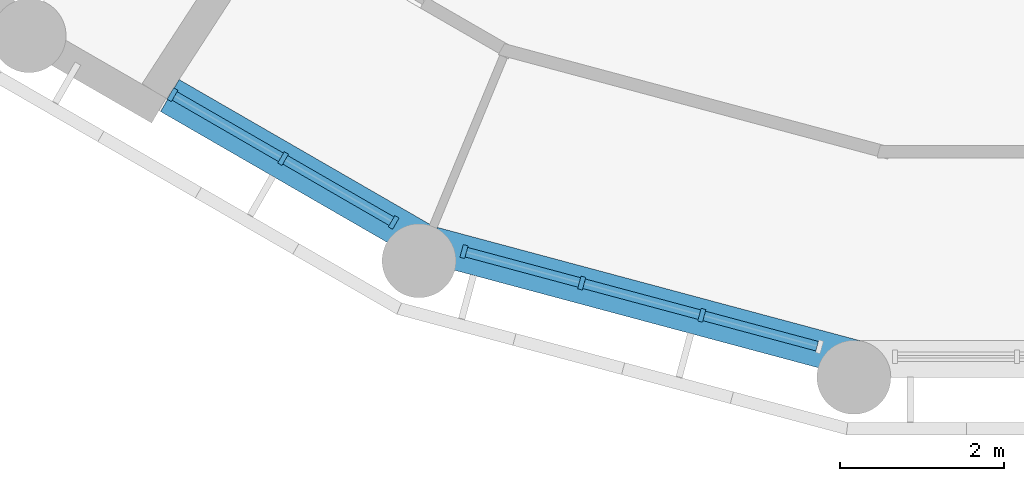
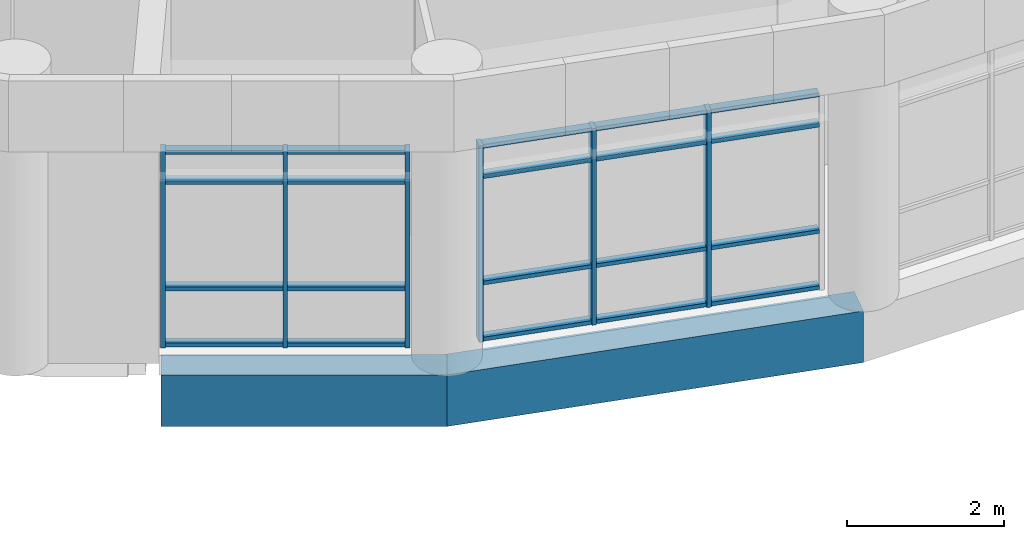
# One storey, part 3 of 109: 26 members, 2 beams, 2 elements without a shape of their own.
"""IFC4 building model written with IfcOpenShell, lengths in metres."""

from ifc_helpers import new_model, si_unit, direction, frame, origin, origin_2d, place, context, subcontext, project, spatial, rectangle, extrude, material, material_profile, profile_set, type_object, element, aggregate, save


model = new_model("IFC4")

# Units and contexts
model_context = context("Model", 3, precision=1e-05, world=origin(), true_north=direction((0.0, 1.0)))
body_context = subcontext(model_context, "Body", "Model", "MODEL_VIEW")
ifc_project = project(units=[si_unit("LENGTHUNIT", "METRE"), si_unit("AREAUNIT", "SQUARE_METRE"), si_unit("VOLUMEUNIT", "CUBIC_METRE"), si_unit("PLANEANGLEUNIT", "RADIAN"), si_unit("MASSUNIT", "GRAM", prefix="KILO")], contexts=[model_context])

# Site, building, storey
site_placement = place(None, origin())
site = spatial("IfcSite", under=ifc_project, at=site_placement, CompositionType="ELEMENT")
building_placement = place(site_placement, origin())
building = spatial("IfcBuilding", under=site, at=building_placement, Name="Bougainvillea Quay General Hospital", CompositionType="ELEMENT")
storey_placement = place(building_placement, frame((0.0, 0.0, 12.60009765625)))
storey = spatial("IfcBuildingStorey", under=building, at=storey_placement, Name="L02", CompositionType="ELEMENT", Elevation=12.60009765625)

# Curtain wall, members
ifc_material_1 = material(Name="Aluminium curtain wall system, powder-coated glazed", Category="aluminium")
curtain_wall_type_1 = type_object("IfcCurtainWallType", Name="Unitised curtain wall CW-1585", PredefinedType="NOTDEFINED", material=ifc_material_1)
curtain_wall_1_placement = place(storey_placement, origin())
curtain_wall_1 = element("IfcCurtainWall", 1, at=curtain_wall_1_placement, inside=storey, type_object=curtain_wall_type_1, Name="CW-D 00", PredefinedType="NOTDEFINED")
ifc_material_2 = material(Name="Aluminium mullion, powder-coated charcoal", Category="aluminium")
ifc_material_profile_1 = material_profile(ifc_material_2, rectangle(XDim=0.159912109375, YDim=0.06005859375, at=origin_2d()))
ifc_profile_set_1 = profile_set([ifc_material_profile_1], Name="Aluminium mullion, powder-coated charcoal")
member_type_1 = type_object("IfcMemberType", Name="Curtain wall mullion 160x60", PredefinedType="MULLION", material=ifc_profile_set_1)
member_1_placement = place(storey_placement, frame((98.162841796875, 56.620361328125, 0.0), z_axis=(0.0, 0.0, 1.0), x_axis=(0.499964557262, 0.866045865692, 0.0)))
member_1 = element("IfcMember", 2, at=member_1_placement, type_object=member_type_1, Name="CW-D mullion 1", PredefinedType="MULLION", context=body_context, shape_type="SweptSolid", body=[
    extrude(rectangle(XDim=0.159912109375, YDim=0.06005859375, at=origin_2d()), origin(), (0.0, 0.0, 1.0), 3.0498046875),
])
member_2_placement = place(storey_placement, frame((99.50927734375, 55.8427734375, 0.0), z_axis=(0.0, 0.0, 1.0), x_axis=(0.499964557262, 0.866045865692, 0.0)))
member_2 = element("IfcMember", 3, at=member_2_placement, type_object=member_type_1, Name="CW-D mullion 2", PredefinedType="MULLION", context=body_context, shape_type="SweptSolid", body=[
    extrude(rectangle(XDim=0.159912109375, YDim=0.06005859375, at=origin_2d()), origin(), (0.0, 0.0, 1.0), 3.0498046875),
])
member_3_placement = place(storey_placement, frame((100.85595703125, 55.0654296875, 0.0), z_axis=(0.0, 0.0, 1.0), x_axis=(0.499964557262, 0.866045865692, 0.0)))
member_3 = element("IfcMember", 4, at=member_3_placement, type_object=member_type_1, Name="CW-D mullion 3", PredefinedType="MULLION", context=body_context, shape_type="SweptSolid", body=[
    extrude(rectangle(XDim=0.159912109375, YDim=0.06005859375, at=origin_2d()), origin(), (0.0, 0.0, 1.0), 3.0498046875),
])

curtain_wall_type_2 = type_object("IfcCurtainWallType", Name="Unitised curtain wall CW-1514", PredefinedType="NOTDEFINED", material=ifc_material_1)
curtain_wall_2_placement = place(storey_placement, origin())
curtain_wall_2 = element("IfcCurtainWall", 5, at=curtain_wall_2_placement, inside=storey, type_object=curtain_wall_type_2, Name="CW-D 00", PredefinedType="NOTDEFINED")
member_4_placement = place(storey_placement, frame((101.711669921875, 54.7109375, 0.0), z_axis=(0.0, 0.0, 1.0), x_axis=(0.258854621298, 0.965916292974, 0.0)))
member_4 = element("IfcMember", 6, at=member_4_placement, type_object=member_type_1, Name="CW-D mullion 1", PredefinedType="MULLION", context=body_context, shape_type="SweptSolid", body=[
    extrude(rectangle(XDim=0.159912109375, YDim=0.06005859375, at=origin_2d()), origin(), (0.0, 0.0, 1.0), 3.0498046875),
])
member_5_placement = place(storey_placement, frame((103.14501953125, 54.326904296875, 0.0), z_axis=(0.0, 0.0, 1.0), x_axis=(0.258854621298, 0.965916292974, 0.0)))
member_5 = element("IfcMember", 7, at=member_5_placement, type_object=member_type_1, Name="CW-D mullion 2", PredefinedType="MULLION", context=body_context, shape_type="SweptSolid", body=[
    extrude(rectangle(XDim=0.159912109375, YDim=0.06005859375, at=origin_2d()), origin(), (0.0, 0.0, 1.0), 3.0498046875),
])
member_6_placement = place(storey_placement, frame((104.607421875, 53.93505859375, 0.0), z_axis=(0.0, 0.0, 1.0), x_axis=(0.258854621298, 0.965916292974, 0.0)))
member_6 = element("IfcMember", 8, at=member_6_placement, type_object=member_type_1, Name="CW-D mullion 3", PredefinedType="MULLION", context=body_context, shape_type="SweptSolid", body=[
    extrude(rectangle(XDim=0.159912109375, YDim=0.06005859375, at=origin_2d()), origin(), (0.0, 0.0, 1.0), 3.0498046875),
])

# Member
ifc_material_3 = material(Name="Aluminium transom, powder-coated charcoal", Category="aluminium")
ifc_material_profile_2 = material_profile(ifc_material_3, rectangle(XDim=0.1201171875, YDim=0.06005859375, at=origin_2d()))
ifc_profile_set_2 = profile_set([ifc_material_profile_2], Name="Aluminium transom, powder-coated charcoal")
member_type_2 = type_object("IfcMemberType", Name="Curtain wall transom 120x60", PredefinedType="USERDEFINED", material=ifc_profile_set_2)
member_7_placement = place(storey_placement, frame((98.188720703125, 56.605224609375, 0.02978515625), z_axis=(0.866074087889, -0.499915667175, 0.0), x_axis=(0.499915667175, 0.866074087889, 0.0)))
member_7 = element("IfcMember", 9, at=member_7_placement, type_object=member_type_2, Name="CW-D transom 1.1", ObjectType="TRANSOM", PredefinedType="USERDEFINED", context=body_context, shape_type="SweptSolid", body=[
    extrude(rectangle(XDim=0.1201171875, YDim=0.06005859375, at=origin_2d()), origin(), (0.0, 0.0, 1.0), 1.494873046875),
])

member_8_placement = place(storey_placement, frame((98.188720703125, 56.605224609375, 0.89990234375), z_axis=(0.866074087889, -0.499915667175, 0.0), x_axis=(0.499915667175, 0.866074087889, 0.0)))
member_8 = element("IfcMember", 10, at=member_8_placement, type_object=member_type_2, Name="CW-D transom 1.2", ObjectType="TRANSOM", PredefinedType="USERDEFINED", context=body_context, shape_type="SweptSolid", body=[
    extrude(rectangle(XDim=0.1201171875, YDim=0.06005859375, at=origin_2d()), origin(), (0.0, 0.0, 1.0), 1.494873046875),
])

member_9_placement = place(storey_placement, frame((98.188720703125, 56.605224609375, 2.5498046875), z_axis=(0.866074087889, -0.499915667175, 0.0), x_axis=(0.499915667175, 0.866074087889, 0.0)))
member_9 = element("IfcMember", 11, at=member_9_placement, type_object=member_type_2, Name="CW-D transom 1.3", ObjectType="TRANSOM", PredefinedType="USERDEFINED", context=body_context, shape_type="SweptSolid", body=[
    extrude(rectangle(XDim=0.1201171875, YDim=0.06005859375, at=origin_2d()), origin(), (0.0, 0.0, 1.0), 1.494873046875),
])

member_10_placement = place(storey_placement, frame((98.188720703125, 56.605224609375, 3.02001953125), z_axis=(0.866074087889, -0.499915667175, 0.0), x_axis=(0.499915667175, 0.866074087889, 0.0)))
member_10 = element("IfcMember", 12, at=member_10_placement, type_object=member_type_2, Name="CW-D transom 1.4", ObjectType="TRANSOM", PredefinedType="USERDEFINED", context=body_context, shape_type="SweptSolid", body=[
    extrude(rectangle(XDim=0.1201171875, YDim=0.06005859375, at=origin_2d()), origin(), (0.0, 0.0, 1.0), 1.494873046875),
])

member_11_placement = place(storey_placement, frame((99.535400390625, 55.827880859375, 0.02978515625), z_axis=(0.866074087889, -0.499915667175, 0.0), x_axis=(0.499915667175, 0.866074087889, 0.0)))
member_11 = element("IfcMember", 13, at=member_11_placement, type_object=member_type_2, Name="CW-D transom 2.1", ObjectType="TRANSOM", PredefinedType="USERDEFINED", context=body_context, shape_type="SweptSolid", body=[
    extrude(rectangle(XDim=0.1201171875, YDim=0.06005859375, at=origin_2d()), origin(), (0.0, 0.0, 1.0), 1.494873046875),
])

member_12_placement = place(storey_placement, frame((99.535400390625, 55.827880859375, 0.89990234375), z_axis=(0.866074087889, -0.499915667175, 0.0), x_axis=(0.499915667175, 0.866074087889, 0.0)))
member_12 = element("IfcMember", 14, at=member_12_placement, type_object=member_type_2, Name="CW-D transom 2.2", ObjectType="TRANSOM", PredefinedType="USERDEFINED", context=body_context, shape_type="SweptSolid", body=[
    extrude(rectangle(XDim=0.1201171875, YDim=0.06005859375, at=origin_2d()), origin(), (0.0, 0.0, 1.0), 1.494873046875),
])

member_13_placement = place(storey_placement, frame((99.535400390625, 55.827880859375, 2.5498046875), z_axis=(0.866074087889, -0.499915667175, 0.0), x_axis=(0.499915667175, 0.866074087889, 0.0)))
member_13 = element("IfcMember", 15, at=member_13_placement, type_object=member_type_2, Name="CW-D transom 2.3", ObjectType="TRANSOM", PredefinedType="USERDEFINED", context=body_context, shape_type="SweptSolid", body=[
    extrude(rectangle(XDim=0.1201171875, YDim=0.06005859375, at=origin_2d()), origin(), (0.0, 0.0, 1.0), 1.494873046875),
])

member_14_placement = place(storey_placement, frame((99.535400390625, 55.827880859375, 3.02001953125), z_axis=(0.866074087889, -0.499915667175, 0.0), x_axis=(0.499915667175, 0.866074087889, 0.0)))
member_14 = element("IfcMember", 16, at=member_14_placement, type_object=member_type_2, Name="CW-D transom 2.4", ObjectType="TRANSOM", PredefinedType="USERDEFINED", context=body_context, shape_type="SweptSolid", body=[
    extrude(rectangle(XDim=0.1201171875, YDim=0.06005859375, at=origin_2d()), origin(), (0.0, 0.0, 1.0), 1.494873046875),
])

aggregate(curtain_wall_1, [member_1, member_2, member_3, member_7, member_8, member_9, member_10, member_11, member_12, member_13, member_14])

member_15_placement = place(storey_placement, frame((101.74072265625, 54.703369140625, 0.02978515625), z_axis=(0.965898291136, -0.258921785836, 0.0), x_axis=(0.258921785836, 0.965898291136, 0.0)))
member_15 = element("IfcMember", 17, at=member_15_placement, type_object=member_type_2, Name="CW-D transom 1.1", ObjectType="TRANSOM", PredefinedType="USERDEFINED", context=body_context, shape_type="SweptSolid", body=[
    extrude(rectangle(XDim=0.1201171875, YDim=0.06005859375, at=origin_2d()), origin(), (0.0, 0.0, 1.0), 1.423828125),
])

member_16_placement = place(storey_placement, frame((101.74072265625, 54.703369140625, 0.89990234375), z_axis=(0.965898291136, -0.258921785836, 0.0), x_axis=(0.258921785836, 0.965898291136, 0.0)))
member_16 = element("IfcMember", 18, at=member_16_placement, type_object=member_type_2, Name="CW-D transom 1.2", ObjectType="TRANSOM", PredefinedType="USERDEFINED", context=body_context, shape_type="SweptSolid", body=[
    extrude(rectangle(XDim=0.1201171875, YDim=0.06005859375, at=origin_2d()), origin(), (0.0, 0.0, 1.0), 1.423828125),
])

member_17_placement = place(storey_placement, frame((101.74072265625, 54.703369140625, 2.5498046875), z_axis=(0.965898291136, -0.258921785836, 0.0), x_axis=(0.258921785836, 0.965898291136, 0.0)))
member_17 = element("IfcMember", 19, at=member_17_placement, type_object=member_type_2, Name="CW-D transom 1.3", ObjectType="TRANSOM", PredefinedType="USERDEFINED", context=body_context, shape_type="SweptSolid", body=[
    extrude(rectangle(XDim=0.1201171875, YDim=0.06005859375, at=origin_2d()), origin(), (0.0, 0.0, 1.0), 1.423828125),
])

member_18_placement = place(storey_placement, frame((101.74072265625, 54.703369140625, 3.02001953125), z_axis=(0.965898291136, -0.258921785836, 0.0), x_axis=(0.258921785836, 0.965898291136, 0.0)))
member_18 = element("IfcMember", 20, at=member_18_placement, type_object=member_type_2, Name="CW-D transom 1.4", ObjectType="TRANSOM", PredefinedType="USERDEFINED", context=body_context, shape_type="SweptSolid", body=[
    extrude(rectangle(XDim=0.1201171875, YDim=0.06005859375, at=origin_2d()), origin(), (0.0, 0.0, 1.0), 1.423828125),
])

member_19_placement = place(storey_placement, frame((103.174072265625, 54.319091796875, 0.02978515625), z_axis=(0.965936059001, -0.258780853081, 0.0), x_axis=(0.258780853081, 0.965936059001, 0.0)))
member_19 = element("IfcMember", 21, at=member_19_placement, type_object=member_type_2, Name="CW-D transom 2.1", ObjectType="TRANSOM", PredefinedType="USERDEFINED", context=body_context, shape_type="SweptSolid", body=[
    extrude(rectangle(XDim=0.1201171875, YDim=0.06005859375, at=origin_2d()), origin(), (0.0, 0.0, 1.0), 1.453857421875),
])

member_20_placement = place(storey_placement, frame((103.174072265625, 54.319091796875, 0.89990234375), z_axis=(0.965936059001, -0.258780853081, 0.0), x_axis=(0.258780853081, 0.965936059001, 0.0)))
member_20 = element("IfcMember", 22, at=member_20_placement, type_object=member_type_2, Name="CW-D transom 2.2", ObjectType="TRANSOM", PredefinedType="USERDEFINED", context=body_context, shape_type="SweptSolid", body=[
    extrude(rectangle(XDim=0.1201171875, YDim=0.06005859375, at=origin_2d()), origin(), (0.0, 0.0, 1.0), 1.453857421875),
])

member_21_placement = place(storey_placement, frame((103.174072265625, 54.319091796875, 2.5498046875), z_axis=(0.965936059001, -0.258780853081, 0.0), x_axis=(0.258780853081, 0.965936059001, 0.0)))
member_21 = element("IfcMember", 23, at=member_21_placement, type_object=member_type_2, Name="CW-D transom 2.3", ObjectType="TRANSOM", PredefinedType="USERDEFINED", context=body_context, shape_type="SweptSolid", body=[
    extrude(rectangle(XDim=0.1201171875, YDim=0.06005859375, at=origin_2d()), origin(), (0.0, 0.0, 1.0), 1.453857421875),
])

member_22_placement = place(storey_placement, frame((103.174072265625, 54.319091796875, 3.02001953125), z_axis=(0.965936059001, -0.258780853081, 0.0), x_axis=(0.258780853081, 0.965936059001, 0.0)))
member_22 = element("IfcMember", 24, at=member_22_placement, type_object=member_type_2, Name="CW-D transom 2.4", ObjectType="TRANSOM", PredefinedType="USERDEFINED", context=body_context, shape_type="SweptSolid", body=[
    extrude(rectangle(XDim=0.1201171875, YDim=0.06005859375, at=origin_2d()), origin(), (0.0, 0.0, 1.0), 1.453857421875),
])

member_23_placement = place(storey_placement, frame((104.636474609375, 53.92724609375, 0.02978515625), z_axis=(0.965898291136, -0.258921785836, 0.0), x_axis=(0.258921785836, 0.965898291136, 0.0)))
member_23 = element("IfcMember", 25, at=member_23_placement, type_object=member_type_2, Name="CW-D transom 3.1", ObjectType="TRANSOM", PredefinedType="USERDEFINED", context=body_context, shape_type="SweptSolid", body=[
    extrude(rectangle(XDim=0.1201171875, YDim=0.06005859375, at=origin_2d()), origin(), (0.0, 0.0, 1.0), 1.423828125),
])

member_24_placement = place(storey_placement, frame((104.636474609375, 53.92724609375, 0.89990234375), z_axis=(0.965898291136, -0.258921785836, 0.0), x_axis=(0.258921785836, 0.965898291136, 0.0)))
member_24 = element("IfcMember", 26, at=member_24_placement, type_object=member_type_2, Name="CW-D transom 3.2", ObjectType="TRANSOM", PredefinedType="USERDEFINED", context=body_context, shape_type="SweptSolid", body=[
    extrude(rectangle(XDim=0.1201171875, YDim=0.06005859375, at=origin_2d()), origin(), (0.0, 0.0, 1.0), 1.423828125),
])

member_25_placement = place(storey_placement, frame((104.636474609375, 53.92724609375, 2.5498046875), z_axis=(0.965898291136, -0.258921785836, 0.0), x_axis=(0.258921785836, 0.965898291136, 0.0)))
member_25 = element("IfcMember", 27, at=member_25_placement, type_object=member_type_2, Name="CW-D transom 3.3", ObjectType="TRANSOM", PredefinedType="USERDEFINED", context=body_context, shape_type="SweptSolid", body=[
    extrude(rectangle(XDim=0.1201171875, YDim=0.06005859375, at=origin_2d()), origin(), (0.0, 0.0, 1.0), 1.423828125),
])

member_26_placement = place(storey_placement, frame((104.636474609375, 53.92724609375, 3.02001953125), z_axis=(0.965898291136, -0.258921785836, 0.0), x_axis=(0.258921785836, 0.965898291136, 0.0)))
member_26 = element("IfcMember", 28, at=member_26_placement, type_object=member_type_2, Name="CW-D transom 3.4", ObjectType="TRANSOM", PredefinedType="USERDEFINED", context=body_context, shape_type="SweptSolid", body=[
    extrude(rectangle(XDim=0.1201171875, YDim=0.06005859375, at=origin_2d()), origin(), (0.0, 0.0, 1.0), 1.423828125),
])

aggregate(curtain_wall_2, [member_4, member_5, member_6, member_15, member_16, member_17, member_18, member_19, member_20, member_21, member_22, member_23, member_24, member_25, member_26])

# Beams
ifc_material_4 = material(Name="Concrete C40", Category="concrete")
ifc_material_profile_3 = material_profile(ifc_material_4, rectangle(XDim=0.449951171875, YDim=0.800048828125, at=origin_2d()))
ifc_profile_set_3 = profile_set([ifc_material_profile_3], Name="Concrete C40")
beam_type = type_object("IfcBeamType", Name="RC BEAM 450x800 C40", PredefinedType="BEAM", material=ifc_profile_set_3)
beam_1_placement = place(storey_placement, frame((98.129638671875, 56.610595703125, -0.7001953125), z_axis=(0.866055803848, -0.499947341849, 0.0), x_axis=(0.499947341849, 0.866055803848, 0.0)))
element("IfcBeam", 29, at=beam_1_placement, inside=storey, type_object=beam_type, Name="Edge beam L02", PredefinedType="BEAM", context=body_context, shape_type="SweptSolid", body=[
    extrude(rectangle(XDim=0.449951171875, YDim=0.800048828125, at=origin_2d()), origin(), (0.0, 0.0, 1.0), 3.6337890625),
])
beam_2_placement = place(storey_placement, frame((101.22216796875, 54.81640625, -0.7001953125), z_axis=(0.965909681024, -0.258879292535, 0.0), x_axis=(0.258879292535, 0.965909681024, 0.0)))
element("IfcBeam", 30, at=beam_2_placement, inside=storey, type_object=beam_type, Name="Edge beam L02", PredefinedType="BEAM", context=body_context, shape_type="SweptSolid", body=[
    extrude(rectangle(XDim=0.449951171875, YDim=0.800048828125, at=origin_2d()), origin(), (0.0, 0.0, 1.0), 5.48193359375),
])

save(model, "model.ifc")
